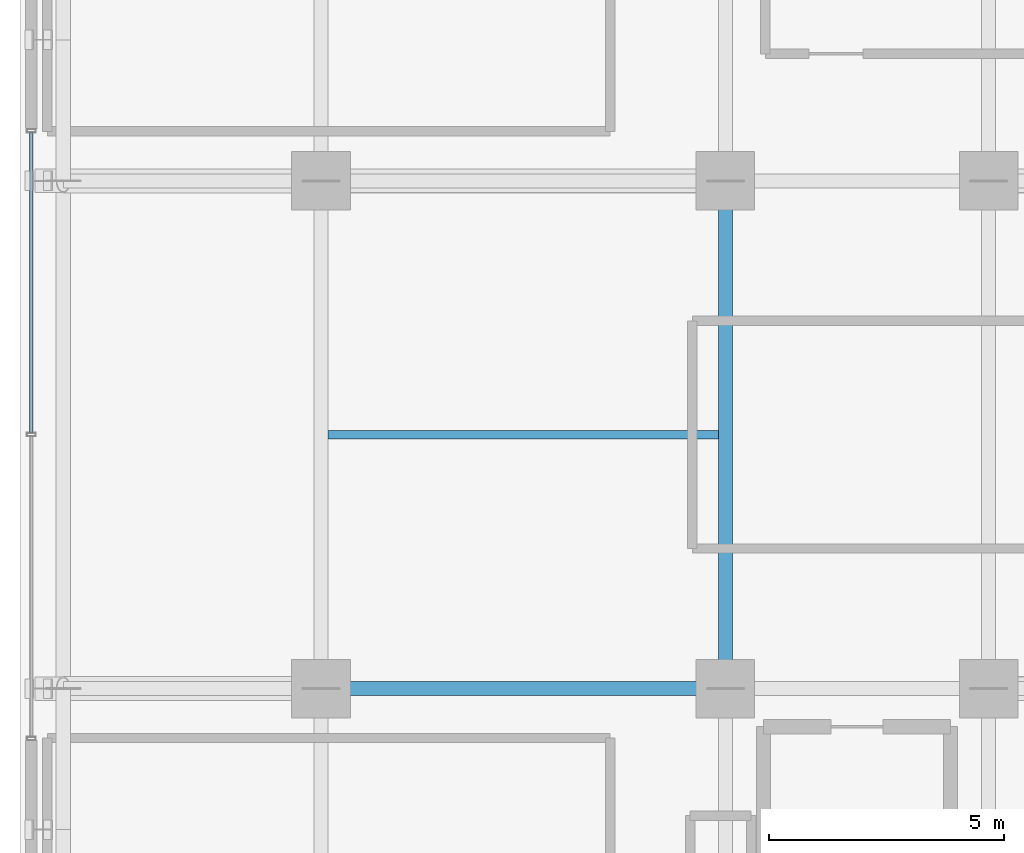
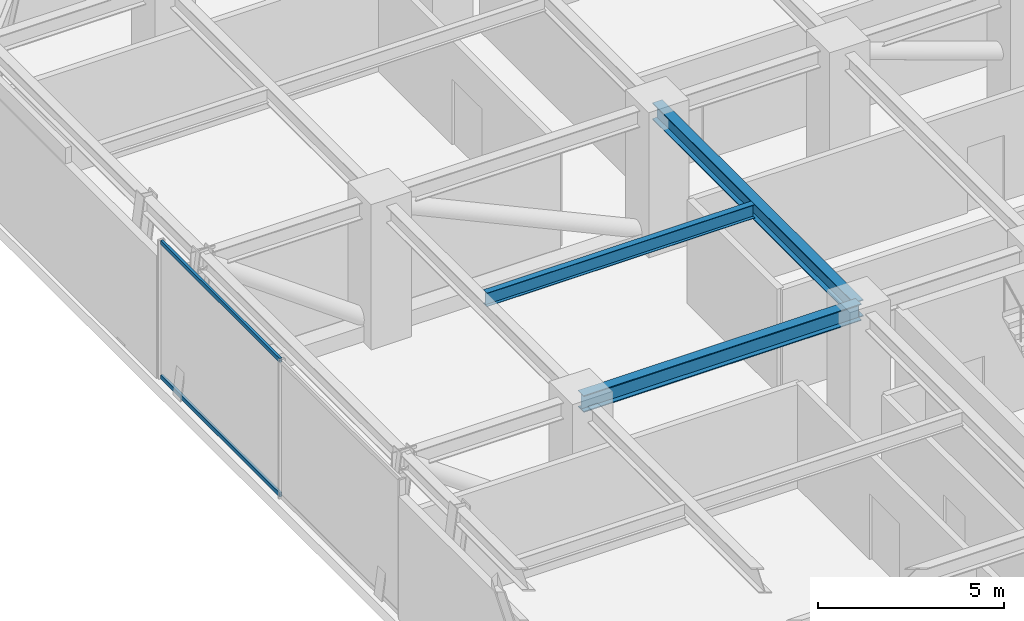
# One storey, part 3 of 15: 3 beams, 2 members, 1 element without a shape of its own.
"""IFC4 building model written with IfcOpenShell, lengths in metres."""

import ifcopenshell
import ifcopenshell.guid

model = None  # the IFC model being written
_history = None  # IfcOwnerHistory: only IFC2X3 demands one
_inside = {}  # id of a spatial element -> (the spatial element, [elements in it])
_under = {}  # id of a project, library or spatial element -> (it, [spatial elements below it])
_declared = {}  # id of a project -> (the project, [libraries it declares])
_typed = {}  # id of a type object -> (the type object, [elements of that type])
_made_of = {}  # id of a material, layer set ... -> (it, [elements and type objects made of it])


def new_model(schema):
    """Start an empty IFC model of exactly this schema.

    Asked for "IFC4X3", IfcOpenShell would pick the latest addendum, in which some entities
    have other attributes; the version numbers below select the first issue.
    IFC2X3 requires an IfcOwnerHistory on every rooted entity: one is made here for all.
    """
    global model, _history
    if schema == "IFC4X3":
        model = ifcopenshell.file(schema_version=(4, 3, 0, 0))
    else:
        model = ifcopenshell.file(schema=schema)
    _inside.clear()
    _under.clear()
    _declared.clear()
    _typed.clear()
    _made_of.clear()
    _history = None
    if model.schema == "IFC2X3":
        org = make("IfcOrganization", Name="unknown")
        user = make(
            "IfcPersonAndOrganization",
            ThePerson=make("IfcPerson", FamilyName="unknown"),
            TheOrganization=org,
        )
        app = make(
            "IfcApplication",
            ApplicationDeveloper=org,
            Version="unknown",
            ApplicationFullName="unknown",
            ApplicationIdentifier="unknown",
        )
        _history = make(
            "IfcOwnerHistory",
            OwningUser=user,
            OwningApplication=app,
            ChangeAction="ADDED",
            CreationDate=0,
        )
    return model


def make(cls, **values):
    """One entity of the class cls with the attributes given. An attribute that is None is left unset."""
    return model.create_entity(
        cls, **{name: value for name, value in values.items() if value is not None}
    )


def rooted(cls, **values):
    """An entity with a GlobalId (a new one), such as an element, a storey or a relation."""
    return make(cls, GlobalId=ifcopenshell.guid.new(), OwnerHistory=_history, **values)


def si_unit(unit_type, name, prefix=None):
    """IfcSIUnit, for example si_unit("LENGTHUNIT", "METRE", prefix="MILLI")."""
    return make("IfcSIUnit", UnitType=unit_type, Prefix=prefix, Name=name)


def assignment(units):
    """IfcUnitAssignment: the units of a project."""
    return None if units is None else make("IfcUnitAssignment", Units=units)


def point(xyz):
    """IfcCartesianPoint."""
    return None if xyz is None else make("IfcCartesianPoint", Coordinates=xyz)


def direction(xyz):
    """IfcDirection."""
    return None if xyz is None else make("IfcDirection", DirectionRatios=xyz)


def frame(location, z_axis=None, x_axis=None):
    """IfcAxis2Placement3D, a coordinate frame: its origin and axes. An axis left out is left unset."""
    return make(
        "IfcAxis2Placement3D",
        Location=point(location),
        Axis=direction(z_axis),
        RefDirection=direction(x_axis),
    )


def frame_2d(location, x_axis=None):
    """IfcAxis2Placement2D, a coordinate frame in the plane: its origin and x axis."""
    return make(
        "IfcAxis2Placement2D", Location=point(location), RefDirection=direction(x_axis)
    )


def origin():
    """The frame at (0, 0, 0) with its axes left unset."""
    return frame((0.0, 0.0, 0.0))


def origin_2d():
    """The frame at (0, 0) in the plane with its x axis left unset."""
    return frame_2d((0.0, 0.0))


def place(relative_to, where):
    """IfcLocalPlacement: puts the frame where relative to a parent placement (None: the world)."""
    return make(
        "IfcLocalPlacement", PlacementRelTo=relative_to, RelativePlacement=where
    )


def context(
    kind, dimensions, precision=None, world=None, true_north=None, identifier=None
):
    """IfcGeometricRepresentationContext, for example the 3D "Model" context."""
    return make(
        "IfcGeometricRepresentationContext",
        ContextIdentifier=identifier,
        ContextType=kind,
        CoordinateSpaceDimension=dimensions,
        Precision=precision,
        WorldCoordinateSystem=world,
        TrueNorth=true_north,
    )


def subcontext(parent, identifier, kind, view, scale=None):
    """IfcGeometricRepresentationSubContext, for example "Body" below "Model"."""
    return make(
        "IfcGeometricRepresentationSubContext",
        ContextIdentifier=identifier,
        ContextType=kind,
        ParentContext=parent,
        TargetScale=scale,
        TargetView=view,
    )


def project(units=None, contexts=None):
    """IfcProject with its units and contexts."""
    return rooted(
        "IfcProject",
        Name="project",
        RepresentationContexts=contexts,
        UnitsInContext=assignment(units),
    )


def spatial(cls, under=None, at=None, **own):
    """A site, building, storey or space (cls), placed at a placement, below another one or the project."""
    s = rooted(cls, ObjectPlacement=at, **own)
    if under is not None:
        _under.setdefault(under.id(), (under, []))[1].append(s)
    return s


def profile(cls, at=None, kind="AREA", **sizes):
    """A parametric profile (cls). Its sizes go by their IFC names, for example OverallWidth=200.0."""
    return make(cls, ProfileType=kind, Position=at, **sizes)


def hollow_rectangle(**sizes):
    """IfcRectangleHollowProfileDef."""
    return profile("IfcRectangleHollowProfileDef", **sizes)


def i_section(**sizes):
    """IfcIShapeProfileDef."""
    return profile("IfcIShapeProfileDef", **sizes)


def extrude(swept, where, along, depth):
    """IfcExtrudedAreaSolid: the profile swept, set in the frame where, extruded along a direction by depth."""
    return make(
        "IfcExtrudedAreaSolid",
        SweptArea=swept,
        Position=where,
        ExtrudedDirection=direction(along),
        Depth=depth,
    )


def shape(context_of_items, identifier, shape_type, items):
    """IfcShapeRepresentation: the items that make up one representation, for example the "Body"."""
    return make(
        "IfcShapeRepresentation",
        ContextOfItems=context_of_items,
        RepresentationIdentifier=identifier,
        RepresentationType=shape_type,
        Items=items,
    )


def source(mapping_origin, context_of_items, identifier, shape_type, items):
    """IfcRepresentationMap: a shape defined once, which mapped items show again and again."""
    return make(
        "IfcRepresentationMap",
        MappingOrigin=mapping_origin,
        MappedRepresentation=shape(context_of_items, identifier, shape_type, items),
    )


def transform(
    local_origin,
    x_axis=None,
    y_axis=None,
    z_axis=None,
    scale=None,
    scale2=None,
    scale3=None,
    uniform=True,
):
    """IfcCartesianTransformationOperator3D, or its non-uniform kind. x_axis, y_axis, z_axis: its Axis1, 2, 3."""
    if uniform:
        return make(
            "IfcCartesianTransformationOperator3D",
            Axis1=direction(x_axis),
            Axis2=direction(y_axis),
            LocalOrigin=point(local_origin),
            Scale=scale,
            Axis3=direction(z_axis),
        )
    return make(
        "IfcCartesianTransformationOperator3DnonUniform",
        Axis1=direction(x_axis),
        Axis2=direction(y_axis),
        LocalOrigin=point(local_origin),
        Scale=scale,
        Axis3=direction(z_axis),
        Scale2=scale2,
        Scale3=scale3,
    )


def mapped(mapping_source, mapping_target):
    """IfcMappedItem: shows the shape of a source again, moved by a transform."""
    return make(
        "IfcMappedItem", MappingSource=mapping_source, MappingTarget=mapping_target
    )


def material(Name=None, Category=None):
    """IfcMaterial."""
    return make("IfcMaterial", Name=Name, Category=Category)


def material_profile(
    of_material, cross_section, Name=None, Category=None, Priority=None
):
    """IfcMaterialProfile: a cross section and its material."""
    return make(
        "IfcMaterialProfile",
        Name=Name,
        Material=of_material,
        Profile=cross_section,
        Priority=Priority,
        Category=Category,
    )


def profile_set(profiles, Name=None, composite=None):
    """IfcMaterialProfileSet."""
    return make(
        "IfcMaterialProfileSet",
        Name=Name,
        MaterialProfiles=profiles,
        CompositeProfile=composite,
    )


def made_of(thing, what):
    """Note that an element or type object is made of a material, layer set ...; save() writes the relation."""
    if what is not None:
        _made_of.setdefault(what.id(), (what, []))[1].append(thing)
    return thing


def type_object(cls, material=None, **own):
    """A type object (cls), such as IfcWallType, which elements share."""
    return made_of(rooted(cls, **own), material)


def element(
    cls,
    number,
    at=None,
    inside=None,
    cuts=None,
    type_object=None,
    material=None,
    context=None,
    identifier="Body",
    shape_type=None,
    held_by="IfcProductDefinitionShape",
    body=None,
    shapes=None,
    **own,
):
    """One element of the class cls, such as IfcWall. Its Tag is "e" and its number.

    at: its placement. inside: the storey or other place that contains it. cuts: it is an
    opening in that element (IfcRelVoidsElement). A single representation is given by context,
    identifier, shape_type and body (its items); several are given by shapes. held_by: the class
    of the entity that holds the representations. save() writes the other relations.
    """
    e = rooted(cls, Tag="e%d" % number, ObjectPlacement=at, **own)
    if body is not None:
        shapes = [shape(context, identifier, shape_type, body)]
    if shapes is not None:
        e.Representation = make(held_by, Representations=shapes)
    if inside is not None:
        _inside.setdefault(inside.id(), (inside, []))[1].append(e)
    if cuts is not None:
        rooted(
            "IfcRelVoidsElement", RelatingBuildingElement=cuts, RelatedOpeningElement=e
        )
    if type_object is not None:
        _typed.setdefault(type_object.id(), (type_object, []))[1].append(e)
    return made_of(e, material)


def aggregate(whole, parts):
    """IfcRelAggregates: a whole, such as a stair, and the parts it consists of."""
    return rooted("IfcRelAggregates", RelatingObject=whole, RelatedObjects=parts)


def save(model, path):
    """Write the relations noted so far, then the file.

    IfcRelAggregates (storeys below a building ...), IfcRelContainedInSpatialStructure (elements
    in a storey), IfcRelDefinesByType, IfcRelAssociatesMaterial and IfcRelDeclares: one each for
    every whole, place, type object, material and project.
    """
    for whole, parts in _under.values():
        aggregate(whole, parts)
    for where, things in _inside.values():
        rooted(
            "IfcRelContainedInSpatialStructure",
            RelatedElements=things,
            RelatingStructure=where,
        )
    for kind, things in _typed.values():
        rooted("IfcRelDefinesByType", RelatedObjects=things, RelatingType=kind)
    for what, things in _made_of.values():
        rooted("IfcRelAssociatesMaterial", RelatedObjects=things, RelatingMaterial=what)
    for by, libraries in _declared.values():
        rooted("IfcRelDeclares", RelatingContext=by, RelatedDefinitions=libraries)
    model.write(path)


model = new_model("IFC4")

# Units and contexts
model_context = context("Model", 3, precision=1e-05, world=origin(), true_north=direction((0.0, 1.0)))
body_context = subcontext(model_context, "Body", "Model", "MODEL_VIEW")
ifc_project = project(units=[si_unit("LENGTHUNIT", "METRE"), si_unit("AREAUNIT", "SQUARE_METRE"), si_unit("VOLUMEUNIT", "CUBIC_METRE"), si_unit("PLANEANGLEUNIT", "RADIAN"), si_unit("MASSUNIT", "GRAM", prefix="KILO")], contexts=[model_context])

# Site, building, storey
site_placement = place(None, origin())
site = spatial("IfcSite", under=ifc_project, at=site_placement, CompositionType="ELEMENT")
building_placement = place(site_placement, origin())
building = spatial("IfcBuilding", under=site, at=building_placement, Name="Nahalor Promenade Grand Hotel", CompositionType="ELEMENT")
storey_placement = place(building_placement, frame((0.0, 0.0, 144.199951171875)))
storey = spatial("IfcBuildingStorey", under=building, at=storey_placement, Name="L36", CompositionType="ELEMENT", Elevation=144.199951171875)

# Beams
ifc_material_1 = material(Name="Steel S355JR", Category="steel")
ifc_material_profile_1 = material_profile(ifc_material_1, i_section(OverallWidth=0.3, OverallDepth=0.55, WebThickness=0.015, FlangeThickness=0.029, at=origin_2d()), Name="HEB 550")
ifc_profile_set_1 = profile_set([ifc_material_profile_1], Name="Steel S355JR")
beam_type_1 = type_object("IfcBeamType", Name="Beam-Girder-HEB550", PredefinedType="BEAM", material=ifc_profile_set_1)
shared_shape_1 = source(origin(), body_context, "Body", "SweptSolid", [
    extrude(i_section(OverallWidth=0.3, OverallDepth=0.55, WebThickness=0.015, FlangeThickness=0.029, at=origin_2d()), origin(), (0.0, 0.0, 1.0), 8.60009765625),
])
beam_1_placement = place(storey_placement, frame((-17.0, -5.39990234375, 4.26513671875), z_axis=(1.0, 0.0, 0.0), x_axis=(0.0, 1.0, 0.0)))
element("IfcBeam", 1, at=beam_1_placement, inside=storey, type_object=beam_type_1, Name="BM-L36-GX-1-1", PredefinedType="BEAM", context=body_context, shape_type="MappedRepresentation", body=[
    mapped(shared_shape_1, transform((0.0, 0.0, 0.0), scale=1.0)),
])
shared_shape_2 = source(origin(), body_context, "Body", "SweptSolid", [
    extrude(i_section(OverallWidth=0.3, OverallDepth=0.55, WebThickness=0.015, FlangeThickness=0.029, at=origin_2d()), origin(), (0.0, 0.0, 1.0), 10.7998046875),
])
beam_2_placement = place(storey_placement, frame((-8.39990234375, -5.39990234375, 4.26513671875), z_axis=(0.0, 1.0, 0.0), x_axis=(-1.0, 0.0, 0.0)))
element("IfcBeam", 2, at=beam_2_placement, inside=storey, type_object=beam_type_1, Name="BM-L36-GY-1-2", PredefinedType="BEAM", context=body_context, shape_type="MappedRepresentation", body=[
    mapped(shared_shape_2, transform((0.0, 0.0, 0.0), scale=1.0)),
])
ifc_material_profile_2 = material_profile(ifc_material_1, i_section(OverallWidth=0.19, OverallDepth=0.45, WebThickness=0.0094, FlangeThickness=0.0146, at=origin_2d()), Name="IPE 450")
ifc_profile_set_2 = profile_set([ifc_material_profile_2], Name="Steel S355JR")
beam_type_2 = type_object("IfcBeamType", Name="Beam-Joist-IPE450", PredefinedType="JOIST", material=ifc_profile_set_2)
shared_shape_3 = source(origin(), body_context, "Body", "SweptSolid", [
    extrude(i_section(OverallWidth=0.19, OverallDepth=0.45, WebThickness=0.0094, FlangeThickness=0.0146, at=origin_2d()), origin(), (0.0, 0.0, 1.0), 8.300048828125),
])
beam_3_placement = place(storey_placement, frame((-16.85009765625, 0.0, 4.31494140625), z_axis=(1.0, 0.0, 0.0), x_axis=(0.0, 1.0, 0.0)))
element("IfcBeam", 3, at=beam_3_placement, inside=storey, type_object=beam_type_2, Name="BM-L36-JSC-0", PredefinedType="JOIST", context=body_context, shape_type="MappedRepresentation", body=[
    mapped(shared_shape_3, transform((0.0, 0.0, 0.0), scale=1.0)),
])

# Curtain wall, members
ifc_material_2 = material(Name="Anodised Bronze Aluminium EN AW-6063 T6", Category="aluminium")
curtain_wall_type = type_object("IfcCurtainWallType", Name="CW6 Crown Botanical Conservatory Curtain Wall", PredefinedType="USERDEFINED", material=ifc_material_2)
curtain_wall_placement = place(storey_placement, origin())
curtain_wall = element("IfcCurtainWall", 4, at=curtain_wall_placement, inside=storey, type_object=curtain_wall_type, Name="L36 Curtain Wall CW-L36-W", ObjectType="UNITISED_CURTAIN_WALL", PredefinedType="USERDEFINED")
ifc_material_profile_3 = material_profile(ifc_material_2, hollow_rectangle(XDim=0.075, YDim=0.135, WallThickness=0.004, at=origin_2d()), Name="CWT 75x135x4")
ifc_profile_set_3 = profile_set([ifc_material_profile_3], Name="Anodised Bronze Aluminium EN AW-6063 T6")
member_type = type_object("IfcMemberType", Name="CWT6 Conservatory Transom 75x135", PredefinedType="USERDEFINED", material=ifc_profile_set_3)
shared_shape_4 = source(origin(), body_context, "Body", "SweptSolid", [
    extrude(hollow_rectangle(XDim=0.075, YDim=0.135, WallThickness=0.004, at=origin_2d()), origin(), (0.0, 0.0, 1.0), 6.387451171875),
])
member_1_placement = place(storey_placement, frame((-23.159912109375, 0.03759765625, 0.067626953125), z_axis=(0.0, 1.0, 0.0), x_axis=(-1.0, 0.0, 0.0)))
member_1 = element("IfcMember", 5, at=member_1_placement, type_object=member_type, Name="CW-L36-W Transom 1-0", ObjectType="TRANSOM", PredefinedType="USERDEFINED", context=body_context, shape_type="MappedRepresentation", body=[
    mapped(shared_shape_4, transform((0.0, 0.0, 0.0), scale=1.0)),
])
member_2_placement = place(storey_placement, frame((-23.159912109375, 0.03759765625, 4.47265625), z_axis=(0.0, 1.0, 0.0), x_axis=(-1.0, 0.0, 0.0)))
member_2 = element("IfcMember", 6, at=member_2_placement, type_object=member_type, Name="CW-L36-W Transom 1-1", ObjectType="TRANSOM", PredefinedType="USERDEFINED", context=body_context, shape_type="MappedRepresentation", body=[
    mapped(shared_shape_4, transform((0.0, 0.0, 0.0), scale=1.0)),
])
aggregate(curtain_wall, [member_1, member_2])

save(model, "model.ifc")
